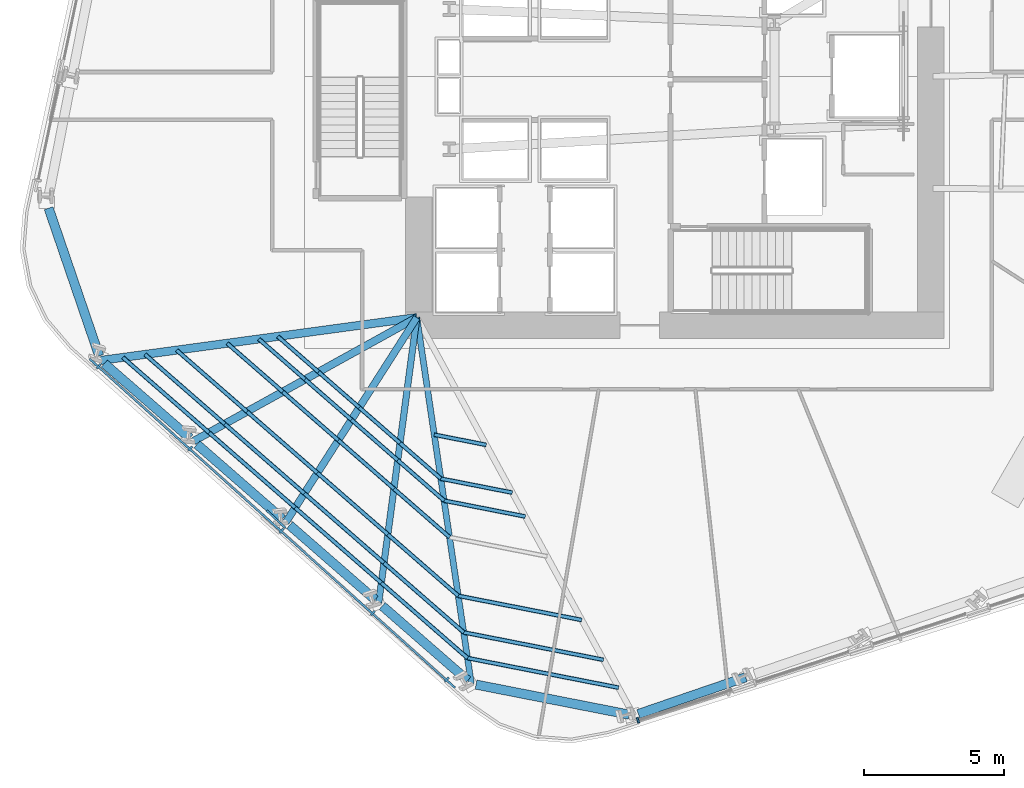
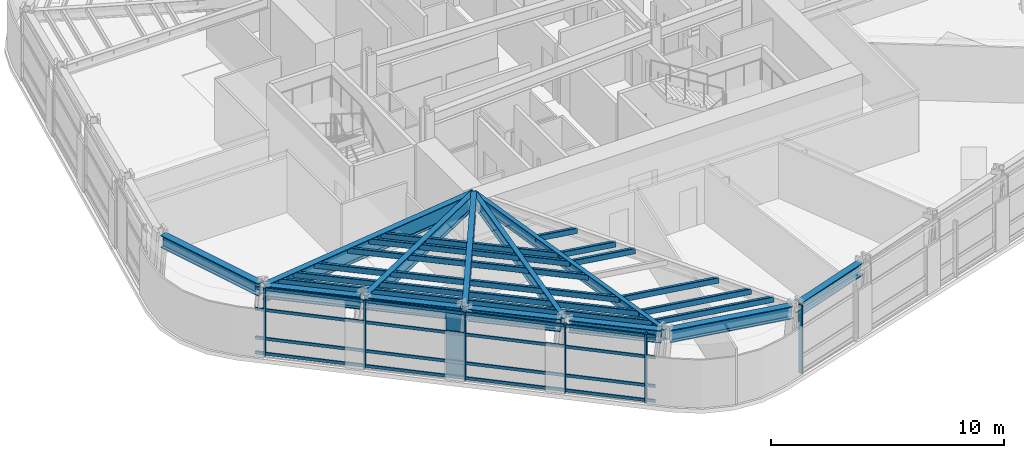
# One storey, part 2 of 16: 41 members, 12 beams, 2 elements without a shape of their own.
"""IFC4 building model written with IfcOpenShell, lengths in metres."""

from ifc_helpers import new_model, si_unit, direction, frame, origin, origin_2d, place, context, subcontext, project, spatial, rectangle, hollow_rectangle, i_section, extrude, material, layer, layer_set, material_profile, profile_set, type_object, element, aggregate, save


model = new_model("IFC4")

# Units and contexts
model_context = context("Model", 3, precision=1e-05, world=origin(), true_north=direction((0.0, 1.0)))
body_context = subcontext(model_context, "Body", "Model", "MODEL_VIEW")
ifc_project = project(units=[si_unit("LENGTHUNIT", "METRE"), si_unit("AREAUNIT", "SQUARE_METRE"), si_unit("VOLUMEUNIT", "CUBIC_METRE"), si_unit("PLANEANGLEUNIT", "RADIAN"), si_unit("MASSUNIT", "GRAM", prefix="KILO")], contexts=[model_context])

# Site, building, storey
site_placement = place(None, origin())
site = spatial("IfcSite", under=ifc_project, at=site_placement, CompositionType="ELEMENT")
building_placement = place(site_placement, origin())
building = spatial("IfcBuilding", under=site, at=building_placement, Name="Valkerne Bourse Tower", CompositionType="ELEMENT")
storey_placement = place(building_placement, frame((0.0, 0.0, 101.0)))
storey = spatial("IfcBuildingStorey", under=building, at=storey_placement, Name="L25", CompositionType="ELEMENT", Elevation=101.0)

# Beams
ifc_material_1 = material(Name="Steel ASTM A992", Category="steel")
ifc_material_profile_1 = material_profile(ifc_material_1, i_section(OverallWidth=0.2138671875, OverallDepth=0.548583984375, WebThickness=0.0146484375, FlangeThickness=0.023681640625, FilletRadius=0.017822265625, at=origin_2d()), Name="W21X93")
ifc_profile_set_1 = profile_set([ifc_material_profile_1], Name="Steel ASTM A992")
beam_type_1 = type_object("IfcBeamType", Name="BM-W21X93", PredefinedType="BEAM", material=ifc_profile_set_1)
beam_1_placement = place(storey_placement, frame((39.543212890625, 5.346435546875, 3.3056640625), z_axis=(-0.147235830809, 0.989101415491, 0.0), x_axis=(-0.989101415491, -0.147235830809, 0.0)))
element("IfcBeam", 1, at=beam_1_placement, inside=storey, type_object=beam_type_1, Name="L25 Radial Composite Floor Beam 19", PredefinedType="BEAM", context=body_context, shape_type="SweptSolid", body=[
    extrude(i_section(OverallWidth=0.2138671875, OverallDepth=0.548583984375, WebThickness=0.0146484375, FlangeThickness=0.023681640625, FilletRadius=0.017822265625, at=origin_2d()), origin(), (0.0, 0.0, 1.0), 13.197265625),
])
ifc_material_profile_2 = material_profile(ifc_material_1, i_section(OverallWidth=0.330078125, OverallDepth=0.647705078125, WebThickness=0.0205078125, FlangeThickness=0.037109375, FilletRadius=0.020263671875, at=origin_2d()), Name="W24X192")
ifc_profile_set_2 = profile_set([ifc_material_profile_2], Name="Steel ASTM A992")
beam_type_2 = type_object("IfcBeamType", Name="BM-W24X192", PredefinedType="SPANDREL", material=ifc_profile_set_2)
beam_2_placement = place(storey_placement, frame((24.47412109375, 22.297119140625, 3.256103515625), z_axis=(0.323917127568, -0.946085458333, 0.0), x_axis=(0.946085458333, 0.323917127568, 0.0)))
element("IfcBeam", 2, at=beam_2_placement, inside=storey, type_object=beam_type_2, Name="L25 Hexagonal Spandrel Ring Beam 14", PredefinedType="SPANDREL", context=body_context, shape_type="SweptSolid", body=[
    extrude(i_section(OverallWidth=0.330078125, OverallDepth=0.647705078125, WebThickness=0.0205078125, FlangeThickness=0.037109375, FilletRadius=0.020263671875, at=origin_2d()), origin(), (0.0, 0.0, 1.0), 5.564697265625),
])
beam_3_placement = place(storey_placement, frame((26.459716796875, 16.759765625, 3.256103515625), z_axis=(0.753593241324, -0.657341027649, 0.0), x_axis=(0.657341027649, 0.753593241324, 0.0)))
element("IfcBeam", 3, at=beam_3_placement, inside=storey, type_object=beam_type_2, Name="L25 Hexagonal Spandrel Ring Beam 15", PredefinedType="SPANDREL", context=body_context, shape_type="SweptSolid", body=[
    extrude(i_section(OverallWidth=0.330078125, OverallDepth=0.647705078125, WebThickness=0.0205078125, FlangeThickness=0.037109375, FilletRadius=0.020263671875, at=origin_2d()), origin(), (0.0, 0.0, 1.0), 4.043212890625),
])
beam_4_placement = place(storey_placement, frame((29.7626953125, 13.87841796875, 3.256103515625), z_axis=(0.753597062169, -0.657336647305, 0.0), x_axis=(0.657336647305, 0.753597062169, 0.0)))
element("IfcBeam", 4, at=beam_4_placement, inside=storey, type_object=beam_type_2, Name="L25 Hexagonal Spandrel Ring Beam 16", PredefinedType="SPANDREL", context=body_context, shape_type="SweptSolid", body=[
    extrude(i_section(OverallWidth=0.330078125, OverallDepth=0.647705078125, WebThickness=0.0205078125, FlangeThickness=0.037109375, FilletRadius=0.020263671875, at=origin_2d()), origin(), (0.0, 0.0, 1.0), 4.042724609375),
])
for number, where, z_axis, x_axis, name in (
    (5, (33.065673828125, 10.997314453125, 3.256103515625), (0.753567147752, -0.657370940815, 0.0), (0.657370940815, 0.753567147752, 0.0), "L25 Hexagonal Spandrel Ring Beam 17"),
    (6, (36.368408203125, 8.115966796875, 3.256103515625), (0.753567147752, -0.657370940815, 0.0), (0.657370940815, 0.753567147752, 0.0), "L25 Hexagonal Spandrel Ring Beam 18"),
):
    element("IfcBeam", number, at=place(storey_placement, frame(where, z_axis=z_axis, x_axis=x_axis)), inside=storey, type_object=beam_type_2, Name=name, PredefinedType="SPANDREL", context=body_context, shape_type="SweptSolid", body=[
        extrude(i_section(OverallWidth=0.330078125, OverallDepth=0.647705078125, WebThickness=0.0205078125, FlangeThickness=0.037109375, FilletRadius=0.020263671875, at=origin_2d()), origin(), (0.0, 0.0, 1.0), 4.04296875),
    ])
beam_5_placement = place(storey_placement, frame((39.7099609375, 5.313720703125, 3.256103515625), z_axis=(0.981292951973, -0.19252049867, 0.0), x_axis=(0.19252049867, 0.981292951973, 0.0)))
element("IfcBeam", 7, at=beam_5_placement, inside=storey, type_object=beam_type_2, Name="L25 Hexagonal Spandrel Ring Beam 19", PredefinedType="SPANDREL", context=body_context, shape_type="SweptSolid", body=[
    extrude(i_section(OverallWidth=0.330078125, OverallDepth=0.647705078125, WebThickness=0.0205078125, FlangeThickness=0.037109375, FilletRadius=0.020263671875, at=origin_2d()), origin(), (0.0, 0.0, 1.0), 5.564453125),
])
beam_6_placement = place(storey_placement, frame((45.498046875, 4.264892578125, 3.256103515625), z_axis=(0.946091935333, 0.323898209161, 0.0), x_axis=(-0.323898209161, 0.946091935333, 0.0)))
element("IfcBeam", 8, at=beam_6_placement, inside=storey, type_object=beam_type_2, Name="L25 Hexagonal Spandrel Ring Beam 20", PredefinedType="SPANDREL", context=body_context, shape_type="SweptSolid", body=[
    extrude(i_section(OverallWidth=0.330078125, OverallDepth=0.647705078125, WebThickness=0.0205078125, FlangeThickness=0.037109375, FilletRadius=0.020263671875, at=origin_2d()), origin(), (0.0, 0.0, 1.0), 4.043212890625),
])
ifc_material_profile_3 = material_profile(ifc_material_1, i_section(OverallWidth=0.228271484375, OverallDepth=0.607177734375, WebThickness=0.01123046875, FlangeThickness=0.017333984375, FilletRadius=0.017822265625, at=origin_2d()), Name="W24X76")
ifc_profile_set_3 = profile_set([ifc_material_profile_3], Name="Steel ASTM A992")
beam_type_3 = type_object("IfcBeamType", Name="BM-W24X76", PredefinedType="JOIST", material=ifc_profile_set_3)
beam_7_placement = place(storey_placement, frame((36.240234375, 8.227783203125, 3.2763671875), z_axis=(0.132506527755, 0.991182132659, 0.0), x_axis=(-0.991182132659, 0.132506527755, 0.0)))
element("IfcBeam", 9, at=beam_7_placement, inside=storey, type_object=beam_type_3, Name="L25 Radial Composite Floor Beam 18", PredefinedType="JOIST", context=body_context, shape_type="SweptSolid", body=[
    extrude(i_section(OverallWidth=0.228271484375, OverallDepth=0.607177734375, WebThickness=0.01123046875, FlangeThickness=0.017333984375, FilletRadius=0.017822265625, at=origin_2d()), origin(), (0.0, 0.0, 1.0), 10.2626953125),
])
ifc_material_profile_4 = material_profile(ifc_material_1, i_section(OverallWidth=0.255859375, OverallDepth=0.693359375, WebThickness=0.014404296875, FlangeThickness=0.023681640625, FilletRadius=0.02294921875, at=origin_2d()), Name="W27X114")
ifc_profile_set_4 = profile_set([ifc_material_profile_4], Name="Steel ASTM A992")
beam_type_4 = type_object("IfcBeamType", Name="BM-W27X114", PredefinedType="BEAM", material=ifc_profile_set_4)
beam_8_placement = place(storey_placement, frame((32.9375, 11.109130859375, 3.2333984375), z_axis=(0.538767075711, 0.842454769189, 0.0), x_axis=(-0.842454769189, 0.538767075711, 0.0)))
element("IfcBeam", 10, at=beam_8_placement, inside=storey, type_object=beam_type_4, Name="L25 Radial Composite Floor Beam 17", PredefinedType="BEAM", context=body_context, shape_type="SweptSolid", body=[
    extrude(i_section(OverallWidth=0.255859375, OverallDepth=0.693359375, WebThickness=0.014404296875, FlangeThickness=0.023681640625, FilletRadius=0.02294921875, at=origin_2d()), origin(), (0.0, 0.0, 1.0), 8.654296875),
])
ifc_material_profile_5 = material_profile(ifc_material_1, i_section(OverallWidth=0.26806640625, OverallDepth=0.76953125, WebThickness=0.015625, FlangeThickness=0.025390625, FilletRadius=0.025390625, at=origin_2d()), Name="W30X132")
ifc_profile_set_5 = profile_set([ifc_material_profile_5], Name="Steel ASTM A992")
beam_type_5 = type_object("IfcBeamType", Name="BM-W30X132", PredefinedType="BEAM", material=ifc_profile_set_5)
beam_9_placement = place(storey_placement, frame((29.634521484375, 13.990234375, 3.1953125), z_axis=(0.874886106632, 0.484328711128, 0.0), x_axis=(-0.484328711128, 0.874886106632, 0.0)))
element("IfcBeam", 11, at=beam_9_placement, inside=storey, type_object=beam_type_5, Name="L25 Radial Composite Floor Beam 16", PredefinedType="BEAM", context=body_context, shape_type="SweptSolid", body=[
    extrude(i_section(OverallWidth=0.26806640625, OverallDepth=0.76953125, WebThickness=0.015625, FlangeThickness=0.025390625, FilletRadius=0.025390625, at=origin_2d()), origin(), (0.0, 0.0, 1.0), 9.104736328125),
])
ifc_material_profile_6 = material_profile(ifc_material_1, i_section(OverallWidth=0.2919921875, OverallDepth=0.8583984375, WebThickness=0.01708984375, FlangeThickness=0.031005859375, FilletRadius=0.025390625, at=origin_2d()), Name="W33X169")
ifc_profile_set_6 = profile_set([ifc_material_profile_6], Name="Steel ASTM A992")
beam_type_6 = type_object("IfcBeamType", Name="BM-W33X169", PredefinedType="BEAM", material=ifc_profile_set_6)
beam_10_placement = place(storey_placement, frame((26.331787109375, 16.87158203125, 3.15087890625), z_axis=(0.990927242503, 0.134399405006, 0.0), x_axis=(-0.134399405006, 0.990927242503, 0.0)))
element("IfcBeam", 12, at=beam_10_placement, inside=storey, type_object=beam_type_6, Name="L25 Radial Composite Floor Beam 15", PredefinedType="BEAM", context=body_context, shape_type="SweptSolid", body=[
    extrude(i_section(OverallWidth=0.2919921875, OverallDepth=0.8583984375, WebThickness=0.01708984375, FlangeThickness=0.031005859375, FilletRadius=0.025390625, at=origin_2d()), origin(), (0.0, 0.0, 1.0), 11.37158203125),
])

# Curtain wall, members
ifc_material_2 = material(Name="Aluminium AA 6063-T6", Category="aluminium")
ifc_layer = layer(ifc_material_2, 0.22998046875)
ifc_layer_set = layer_set([ifc_layer], Name="Aluminium AA 6063-T6")
curtain_wall_type = type_object("IfcCurtainWallType", Name="CW-02", PredefinedType="NOTDEFINED", material=ifc_layer_set)
curtain_wall_1_placement = place(storey_placement, origin())
curtain_wall_1 = element("IfcCurtainWall", 13, at=curtain_wall_1_placement, inside=storey, type_object=curtain_wall_type, Name="L25 Hexagonal Stick Curtain Wall Face 4", PredefinedType="NOTDEFINED")
ifc_material_profile_7 = material_profile(ifc_material_2, rectangle(XDim=0.074951171875, YDim=0.199951171875, at=origin_2d()), Name="CWM-75X200")
ifc_profile_set_7 = profile_set([ifc_material_profile_7], Name="Aluminium AA 6063-T6")
member_type_1 = type_object("IfcMemberType", Name="CW-MUL-220X75", PredefinedType="MULLION", material=ifc_profile_set_7)
member_1_placement = place(storey_placement, frame((26.259765625, 16.66064453125, 0.0), z_axis=(0.0, 0.0, 1.0), x_axis=(0.743144377687, -0.66913110368, 0.0)))
member_1 = element("IfcMember", 14, at=member_1_placement, type_object=member_type_1, Name="CW-L25-F4 Jamb Mullion 00A", PredefinedType="MULLION", context=body_context, shape_type="SweptSolid", body=[
    extrude(rectangle(XDim=0.074951171875, YDim=0.199951171875, at=origin_2d()), origin(), (0.0, 0.0, 1.0), 3.580078125),
])
member_2_placement = place(storey_placement, frame((29.51708984375, 13.727783203125, 0.0), z_axis=(0.0, 0.0, 1.0), x_axis=(0.743144377687, -0.66913110368, 0.0)))
member_2 = element("IfcMember", 15, at=member_2_placement, type_object=member_type_1, Name="CW-L25-F4 Jamb Mullion 01A", PredefinedType="MULLION", context=body_context, shape_type="SweptSolid", body=[
    extrude(rectangle(XDim=0.074951171875, YDim=0.199951171875, at=origin_2d()), origin(), (0.0, 0.0, 1.0), 3.580078125),
])
member_3_placement = place(storey_placement, frame((32.774169921875, 10.795166015625, 0.0), z_axis=(0.0, 0.0, 1.0), x_axis=(0.743144377687, -0.66913110368, 0.0)))
member_3 = element("IfcMember", 16, at=member_3_placement, type_object=member_type_1, Name="CW-L25-F4 Jamb Mullion 02A", PredefinedType="MULLION", context=body_context, shape_type="SweptSolid", body=[
    extrude(rectangle(XDim=0.074951171875, YDim=0.199951171875, at=origin_2d()), origin(), (0.0, 0.0, 1.0), 3.580078125),
])
member_4_placement = place(storey_placement, frame((36.031494140625, 7.8623046875, 0.0), z_axis=(0.0, 0.0, 1.0), x_axis=(0.743144377687, -0.66913110368, 0.0)))
member_4 = element("IfcMember", 17, at=member_4_placement, type_object=member_type_1, Name="CW-L25-F4 Jamb Mullion 03A", PredefinedType="MULLION", context=body_context, shape_type="SweptSolid", body=[
    extrude(rectangle(XDim=0.074951171875, YDim=0.199951171875, at=origin_2d()), origin(), (0.0, 0.0, 1.0), 3.580078125),
])
member_5_placement = place(storey_placement, frame((38.664306640625, 5.49169921875, 0.0), z_axis=(0.0, 0.0, 1.0), x_axis=(0.743144377687, -0.66913110368, 0.0)))
member_5 = element("IfcMember", 18, at=member_5_placement, type_object=member_type_1, Name="CW-L25-F4 Jamb Mullion 03B", PredefinedType="MULLION", context=body_context, shape_type="SweptSolid", body=[
    extrude(rectangle(XDim=0.074951171875, YDim=0.199951171875, at=origin_2d()), origin(), (0.0, 0.0, 1.0), 3.580078125),
])

# Curtain wall, member
curtain_wall_2_placement = place(storey_placement, origin())
curtain_wall_2 = element("IfcCurtainWall", 19, at=curtain_wall_2_placement, inside=storey, type_object=curtain_wall_type, Name="L25 Hexagonal Stick Curtain Wall Face 5", PredefinedType="NOTDEFINED")
member_6_placement = place(storey_placement, frame((45.48388671875, 4.0419921875, 0.0), z_axis=(0.0, 0.0, 1.0), x_axis=(0.951051671907, 0.30903190347, 0.0)))
member_6 = element("IfcMember", 20, at=member_6_placement, type_object=member_type_1, Name="CW-L25-F5 Jamb Mullion 00A", PredefinedType="MULLION", context=body_context, shape_type="SweptSolid", body=[
    extrude(rectangle(XDim=0.074951171875, YDim=0.199951171875, at=origin_2d()), origin(), (0.0, 0.0, 1.0), 3.580078125),
])
aggregate(curtain_wall_2, [member_6])

# Member
ifc_material_profile_8 = material_profile(ifc_material_2, rectangle(XDim=0.074951171875, YDim=0.14990234375, at=origin_2d()), Name="CWT-75X150")
ifc_profile_set_8 = profile_set([ifc_material_profile_8], Name="Aluminium AA 6063-T6")
member_type_2 = type_object("IfcMemberType", Name="CW-TRN-180X65", PredefinedType="USERDEFINED", material=ifc_profile_set_8)
member_7_placement = place(storey_placement, frame((25.934326171875, 16.927001953125, 0.1201171875), z_axis=(0.743144563922, -0.669130896845, 0.0), x_axis=(0.669130896845, 0.743144563922, 0.0)))
member_7 = element("IfcMember", 21, at=member_7_placement, type_object=member_type_2, Name="CW-L25-F4 Continuous Face Transom 1", ObjectType="TRANSOM", PredefinedType="USERDEFINED", context=body_context, shape_type="SweptSolid", body=[
    extrude(rectangle(XDim=0.074951171875, YDim=0.14990234375, at=origin_2d()), origin(), (0.0, 0.0, 1.0), 17.531982421875),
])

member_8_placement = place(storey_placement, frame((25.934326171875, 16.927001953125, 0.89990234375), z_axis=(0.743144563922, -0.669130896845, 0.0), x_axis=(0.669130896845, 0.743144563922, 0.0)))
member_8 = element("IfcMember", 22, at=member_8_placement, type_object=member_type_2, Name="CW-L25-F4 Continuous Face Transom 2", ObjectType="TRANSOM", PredefinedType="USERDEFINED", context=body_context, shape_type="SweptSolid", body=[
    extrude(rectangle(XDim=0.074951171875, YDim=0.14990234375, at=origin_2d()), origin(), (0.0, 0.0, 1.0), 17.531982421875),
])

member_9_placement = place(storey_placement, frame((25.934326171875, 16.927001953125, 2.39990234375), z_axis=(0.743144563922, -0.669130896845, 0.0), x_axis=(0.669130896845, 0.743144563922, 0.0)))
member_9 = element("IfcMember", 23, at=member_9_placement, type_object=member_type_2, Name="CW-L25-F4 Continuous Face Transom 3", ObjectType="TRANSOM", PredefinedType="USERDEFINED", context=body_context, shape_type="SweptSolid", body=[
    extrude(rectangle(XDim=0.074951171875, YDim=0.14990234375, at=origin_2d()), origin(), (0.0, 0.0, 1.0), 17.531982421875),
])

member_10_placement = place(storey_placement, frame((25.934326171875, 16.927001953125, 3.5), z_axis=(0.743144563922, -0.669130896845, 0.0), x_axis=(0.669130896845, 0.743144563922, 0.0)))
member_10 = element("IfcMember", 24, at=member_10_placement, type_object=member_type_2, Name="CW-L25-F4 Continuous Face Transom 4", ObjectType="TRANSOM", PredefinedType="USERDEFINED", context=body_context, shape_type="SweptSolid", body=[
    extrude(rectangle(XDim=0.074951171875, YDim=0.14990234375, at=origin_2d()), origin(), (0.0, 0.0, 1.0), 17.531982421875),
])

aggregate(curtain_wall_1, [member_7, member_8, member_9, member_10, member_1, member_2, member_3, member_4, member_5])

# Members
ifc_material_3 = material(Name="Bronze Anodised Aluminium AA 6063-T6", Category="aluminium")
ifc_material_profile_9 = material_profile(ifc_material_3, rectangle(XDim=0.070068359375, YDim=0.89990234375, at=origin_2d()), Name="FIN-70X900")
ifc_profile_set_9 = profile_set([ifc_material_profile_9], Name="Bronze Anodised Aluminium AA 6063-T6")
member_type_3 = type_object("IfcMemberType", Name="FIN-SOLAR-900", PredefinedType="USERDEFINED", material=ifc_profile_set_9)
member_11_placement = place(storey_placement, frame((32.58251953125, 11.2099609375, 0.00390625), z_axis=(0.0, 0.0, 1.0), x_axis=(-0.683254339535, -0.730180462288, 0.0)))
element("IfcMember", 25, at=member_11_placement, inside=storey, type_object=member_type_3, Name="L25 Bronze Anodised Solar Fin F4-02", ObjectType="SOLAR_FIN", PredefinedType="USERDEFINED", context=body_context, shape_type="SweptSolid", body=[
    extrude(rectangle(XDim=0.070068359375, YDim=0.89990234375, at=origin_2d()), origin(), (0.0, 0.0, 1.0), 3.572021484375),
])
ifc_material_4 = material(Name="Steel ASTM A500 Grade C", Category="steel")
ifc_material_profile_10 = material_profile(ifc_material_4, hollow_rectangle(XDim=0.14990234375, YDim=0.300048828125, WallThickness=0.012451171875, OuterFilletRadius=0.02490234375, at=origin_2d()), Name="HSS300X150X12.5")
ifc_profile_set_10 = profile_set([ifc_material_profile_10], Name="Steel ASTM A500 Grade C")
member_type_4 = type_object("IfcMemberType", Name="MBR-HSS300X150X12.5", PredefinedType="PURLIN", material=ifc_profile_set_10)
member_12_placement = place(storey_placement, frame((38.2216796875, 14.222900390625, 3.419921875), z_axis=(0.981294610769, -0.192512043456, 0.0), x_axis=(0.192512043456, 0.981294610769, 0.0)))
element("IfcMember", 26, at=member_12_placement, inside=storey, type_object=member_type_4, Name="L25 Secondary Composite Floor Purlin I-19", PredefinedType="PURLIN", context=body_context, shape_type="SweptSolid", body=[
    extrude(hollow_rectangle(XDim=0.14990234375, YDim=0.300048828125, WallThickness=0.012451171875, OuterFilletRadius=0.02490234375, at=origin_2d()), origin(), (0.0, 0.0, 1.0), 1.8896484375),
])
for number, where, z_axis, x_axis, name in (
    (27, (32.641845703125, 17.7275390625, 3.419921875), (0.753571725565, -0.657365693072, 0.0), (0.657365693072, 0.753571725565, 0.0), "L25 Secondary Composite Floor Purlin K-15"),
    (28, (34.09521484375, 16.459716796875, 3.419921875), (0.753571725565, -0.657365693072, 0.0), (0.657365693072, 0.753571725565, 0.0), "L25 Secondary Composite Floor Purlin K-16"),
):
    element("IfcMember", number, at=place(storey_placement, frame(where, z_axis=z_axis, x_axis=x_axis)), inside=storey, type_object=member_type_4, Name=name, PredefinedType="PURLIN", context=body_context, shape_type="SweptSolid", body=[
        extrude(hollow_rectangle(XDim=0.14990234375, YDim=0.300048828125, WallThickness=0.012451171875, OuterFilletRadius=0.02490234375, at=origin_2d()), origin(), (0.0, 0.0, 1.0), 1.9287109375),
    ])
member_13_placement = place(storey_placement, frame((35.548583984375, 15.19189453125, 3.419921875), z_axis=(0.753579732616, -0.65735651407, 0.0), x_axis=(0.65735651407, 0.753579732616, 0.0)))
element("IfcMember", 29, at=member_13_placement, inside=storey, type_object=member_type_4, Name="L25 Secondary Composite Floor Purlin K-17", PredefinedType="PURLIN", context=body_context, shape_type="SweptSolid", body=[
    extrude(hollow_rectangle(XDim=0.14990234375, YDim=0.300048828125, WallThickness=0.012451171875, OuterFilletRadius=0.02490234375, at=origin_2d()), origin(), (0.0, 0.0, 1.0), 1.92822265625),
])
member_14_placement = place(storey_placement, frame((37.001708984375, 13.92431640625, 3.419921875), z_axis=(0.753571725565, -0.657365693072, 0.0), x_axis=(0.657365693072, 0.753571725565, 0.0)))
element("IfcMember", 30, at=member_14_placement, inside=storey, type_object=member_type_4, Name="L25 Secondary Composite Floor Purlin K-18", PredefinedType="PURLIN", context=body_context, shape_type="SweptSolid", body=[
    extrude(hollow_rectangle(XDim=0.14990234375, YDim=0.300048828125, WallThickness=0.012451171875, OuterFilletRadius=0.02490234375, at=origin_2d()), origin(), (0.0, 0.0, 1.0), 1.9287109375),
])
member_15_placement = place(storey_placement, frame((38.455078125, 12.656494140625, 3.419921875), z_axis=(0.981286253476, -0.192554638323, 0.0), x_axis=(0.192554638323, 0.981286253476, 0.0)))
element("IfcMember", 31, at=member_15_placement, inside=storey, type_object=member_type_4, Name="L25 Secondary Composite Floor Purlin K-19", PredefinedType="PURLIN", context=body_context, shape_type="SweptSolid", body=[
    extrude(hollow_rectangle(XDim=0.14990234375, YDim=0.300048828125, WallThickness=0.012451171875, OuterFilletRadius=0.02490234375, at=origin_2d()), origin(), (0.0, 0.0, 1.0), 2.597900390625),
])
member_16_placement = place(storey_placement, frame((31.9658203125, 17.6357421875, 3.419921875), z_axis=(0.753542050167, -0.65739970994, 0.0), x_axis=(0.65739970994, 0.753542050167, 0.0)))
element("IfcMember", 32, at=member_16_placement, inside=storey, type_object=member_type_4, Name="L25 Secondary Composite Floor Purlin M-15", PredefinedType="PURLIN", context=body_context, shape_type="SweptSolid", body=[
    extrude(hollow_rectangle(XDim=0.14990234375, YDim=0.300048828125, WallThickness=0.012451171875, OuterFilletRadius=0.02490234375, at=origin_2d()), origin(), (0.0, 0.0, 1.0), 2.19140625),
])
member_17_placement = place(storey_placement, frame((33.6171875, 16.195068359375, 3.419921875), z_axis=(0.753590190404, -0.657344525288, 0.0), x_axis=(0.657344525288, 0.753590190404, 0.0)))
element("IfcMember", 33, at=member_17_placement, inside=storey, type_object=member_type_4, Name="L25 Secondary Composite Floor Purlin M-16", PredefinedType="PURLIN", context=body_context, shape_type="SweptSolid", body=[
    extrude(hollow_rectangle(XDim=0.14990234375, YDim=0.300048828125, WallThickness=0.012451171875, OuterFilletRadius=0.02490234375, at=origin_2d()), origin(), (0.0, 0.0, 1.0), 2.191650390625),
])
for number, where, z_axis, x_axis, name in (
    (34, (35.268798828125, 14.75439453125, 3.419921875), (0.753597239076, -0.657336444492, 0.0), (0.657336444492, 0.753597239076, 0.0), "L25 Secondary Composite Floor Purlin M-17"),
    (35, (36.920166015625, 13.31396484375, 3.419921875), (0.753542050167, -0.65739970994, 0.0), (0.65739970994, 0.753542050167, 0.0), "L25 Secondary Composite Floor Purlin M-18"),
):
    element("IfcMember", number, at=place(storey_placement, frame(where, z_axis=z_axis, x_axis=x_axis)), inside=storey, type_object=member_type_4, Name=name, PredefinedType="PURLIN", context=body_context, shape_type="SweptSolid", body=[
        extrude(hollow_rectangle(XDim=0.14990234375, YDim=0.300048828125, WallThickness=0.012451171875, OuterFilletRadius=0.02490234375, at=origin_2d()), origin(), (0.0, 0.0, 1.0), 2.19140625),
    ])
member_18_placement = place(storey_placement, frame((38.571533203125, 11.873291015625, 3.419921875), z_axis=(0.981292924032, -0.192520641088, 0.0), x_axis=(0.192520641088, 0.981292924032, 0.0)))
element("IfcMember", 36, at=member_18_placement, inside=storey, type_object=member_type_4, Name="L25 Secondary Composite Floor Purlin M-19", PredefinedType="PURLIN", context=body_context, shape_type="SweptSolid", body=[
    extrude(hollow_rectangle(XDim=0.14990234375, YDim=0.300048828125, WallThickness=0.012451171875, OuterFilletRadius=0.02490234375, at=origin_2d()), origin(), (0.0, 0.0, 1.0), 2.9521484375),
])
member_19_placement = place(storey_placement, frame((29.0361328125, 17.23828125, 3.419921875), z_axis=(0.753583734122, -0.657351926799, 0.0), x_axis=(0.657351926799, 0.753583734122, 0.0)))
element("IfcMember", 37, at=member_19_placement, inside=storey, type_object=member_type_4, Name="L25 Secondary Composite Floor Purlin O-15", PredefinedType="PURLIN", context=body_context, shape_type="SweptSolid", body=[
    extrude(hollow_rectangle(XDim=0.14990234375, YDim=0.300048828125, WallThickness=0.012451171875, OuterFilletRadius=0.02490234375, at=origin_2d()), origin(), (0.0, 0.0, 1.0), 3.3310546875),
])
member_20_placement = place(storey_placement, frame((31.54638671875, 15.048583984375, 3.419921875), z_axis=(0.753552061372, -0.657388234456, 0.0), x_axis=(0.657388234456, 0.753552061372, 0.0)))
element("IfcMember", 38, at=member_20_placement, inside=storey, type_object=member_type_4, Name="L25 Secondary Composite Floor Purlin O-16", PredefinedType="PURLIN", context=body_context, shape_type="SweptSolid", body=[
    extrude(hollow_rectangle(XDim=0.14990234375, YDim=0.300048828125, WallThickness=0.012451171875, OuterFilletRadius=0.02490234375, at=origin_2d()), origin(), (0.0, 0.0, 1.0), 3.330810546875),
])
member_21_placement = place(storey_placement, frame((34.056396484375, 12.85888671875, 3.419921875), z_axis=(0.753583734122, -0.657351926799, 0.0), x_axis=(0.657351926799, 0.753583734122, 0.0)))
element("IfcMember", 39, at=member_21_placement, inside=storey, type_object=member_type_4, Name="L25 Secondary Composite Floor Purlin O-17", PredefinedType="PURLIN", context=body_context, shape_type="SweptSolid", body=[
    extrude(hollow_rectangle(XDim=0.14990234375, YDim=0.300048828125, WallThickness=0.012451171875, OuterFilletRadius=0.02490234375, at=origin_2d()), origin(), (0.0, 0.0, 1.0), 3.3310546875),
])
member_22_placement = place(storey_placement, frame((36.566650390625, 10.669189453125, 3.419921875), z_axis=(0.753547428307, -0.657393545216, 0.0), x_axis=(0.657393545216, 0.753547428307, 0.0)))
element("IfcMember", 40, at=member_22_placement, inside=storey, type_object=member_type_4, Name="L25 Secondary Composite Floor Purlin O-18", PredefinedType="PURLIN", context=body_context, shape_type="SweptSolid", body=[
    extrude(hollow_rectangle(XDim=0.14990234375, YDim=0.300048828125, WallThickness=0.012451171875, OuterFilletRadius=0.02490234375, at=origin_2d()), origin(), (0.0, 0.0, 1.0), 3.331298828125),
])
member_23_placement = place(storey_placement, frame((39.076904296875, 8.479248046875, 3.419921875), z_axis=(0.981298034433, -0.192494591141, 0.0), x_axis=(0.192494591141, 0.981298034433, 0.0)))
element("IfcMember", 41, at=member_23_placement, inside=storey, type_object=member_type_4, Name="L25 Secondary Composite Floor Purlin O-19", PredefinedType="PURLIN", context=body_context, shape_type="SweptSolid", body=[
    extrude(hollow_rectangle(XDim=0.14990234375, YDim=0.300048828125, WallThickness=0.012451171875, OuterFilletRadius=0.02490234375, at=origin_2d()), origin(), (0.0, 0.0, 1.0), 4.4873046875),
])
for number, where, z_axis, x_axis, name in (
    (42, (30.839111328125, 17.48291015625, 3.419921875), (0.753559272181, -0.657379968747, 0.0), (0.657379968747, 0.753559272181, 0.0), "L25 Secondary Composite Floor Purlin Z-15"),
    (43, (32.82080078125, 15.754150390625, 3.419921875), (0.753559272181, -0.657379968747, 0.0), (0.657379968747, 0.753559272181, 0.0), "L25 Secondary Composite Floor Purlin Z-16"),
    (44, (34.802490234375, 14.025390625, 3.419921875), (0.753559272181, -0.657379968747, 0.0), (0.657379968747, 0.753559272181, 0.0), "L25 Secondary Composite Floor Purlin Z-17"),
    (45, (36.7841796875, 12.296630859375, 3.419921875), (0.753559272181, -0.657379968747, 0.0), (0.657379968747, 0.753559272181, 0.0), "L25 Secondary Composite Floor Purlin Z-18"),
):
    element("IfcMember", number, at=place(storey_placement, frame(where, z_axis=z_axis, x_axis=x_axis)), inside=storey, type_object=member_type_4, Name=name, PredefinedType="PURLIN", context=body_context, shape_type="SweptSolid", body=[
        extrude(hollow_rectangle(XDim=0.14990234375, YDim=0.300048828125, WallThickness=0.012451171875, OuterFilletRadius=0.02490234375, at=origin_2d()), origin(), (0.0, 0.0, 1.0), 2.6298828125),
    ])
member_24_placement = place(storey_placement, frame((27.9091796875, 17.085693359375, 3.419921875), z_axis=(0.753558817626, -0.657380489807, 0.0), x_axis=(0.657380489807, 0.753558817626, 0.0)))
element("IfcMember", 46, at=member_24_placement, inside=storey, type_object=member_type_4, Name="L25 Secondary Composite Floor Purlin T-15", PredefinedType="PURLIN", context=body_context, shape_type="SweptSolid", body=[
    extrude(hollow_rectangle(XDim=0.14990234375, YDim=0.300048828125, WallThickness=0.012451171875, OuterFilletRadius=0.02490234375, at=origin_2d()), origin(), (0.0, 0.0, 1.0), 3.76953125),
])
member_25_placement = place(storey_placement, frame((30.749755859375, 14.607666015625, 3.419921875), z_axis=(0.753562912899, -0.657375795343, 0.0), x_axis=(0.657375795343, 0.753562912899, 0.0)))
element("IfcMember", 47, at=member_25_placement, inside=storey, type_object=member_type_4, Name="L25 Secondary Composite Floor Purlin T-16", PredefinedType="PURLIN", context=body_context, shape_type="SweptSolid", body=[
    extrude(hollow_rectangle(XDim=0.14990234375, YDim=0.300048828125, WallThickness=0.012451171875, OuterFilletRadius=0.02490234375, at=origin_2d()), origin(), (0.0, 0.0, 1.0), 3.769287109375),
])
member_26_placement = place(storey_placement, frame((33.590087890625, 12.1298828125, 3.419921875), z_axis=(0.753558817626, -0.657380489807, 0.0), x_axis=(0.657380489807, 0.753558817626, 0.0)))
element("IfcMember", 48, at=member_26_placement, inside=storey, type_object=member_type_4, Name="L25 Secondary Composite Floor Purlin T-17", PredefinedType="PURLIN", context=body_context, shape_type="SweptSolid", body=[
    extrude(hollow_rectangle(XDim=0.14990234375, YDim=0.300048828125, WallThickness=0.012451171875, OuterFilletRadius=0.02490234375, at=origin_2d()), origin(), (0.0, 0.0, 1.0), 3.76953125),
])
member_27_placement = place(storey_placement, frame((36.4306640625, 9.65185546875, 3.419921875), z_axis=(0.753590901815, -0.657343709714, 0.0), x_axis=(0.657343709714, 0.753590901815, 0.0)))
element("IfcMember", 49, at=member_27_placement, inside=storey, type_object=member_type_4, Name="L25 Secondary Composite Floor Purlin T-18", PredefinedType="PURLIN", context=body_context, shape_type="SweptSolid", body=[
    extrude(hollow_rectangle(XDim=0.14990234375, YDim=0.300048828125, WallThickness=0.012451171875, OuterFilletRadius=0.02490234375, at=origin_2d()), origin(), (0.0, 0.0, 1.0), 3.769287109375),
])
member_28_placement = place(storey_placement, frame((39.271240234375, 7.174072265625, 3.419921875), z_axis=(0.981286149076, -0.19255517036, 0.0), x_axis=(0.19255517036, 0.981286149076, 0.0)))
element("IfcMember", 50, at=member_28_placement, inside=storey, type_object=member_type_4, Name="L25 Secondary Composite Floor Purlin T-19", PredefinedType="PURLIN", context=body_context, shape_type="SweptSolid", body=[
    extrude(hollow_rectangle(XDim=0.14990234375, YDim=0.300048828125, WallThickness=0.012451171875, OuterFilletRadius=0.02490234375, at=origin_2d()), origin(), (0.0, 0.0, 1.0), 5.077880859375),
])
member_29_placement = place(storey_placement, frame((27.12060546875, 16.978515625, 3.419921875), z_axis=(0.753566531925, -0.657371646759, 0.0), x_axis=(0.657371646759, 0.753566531925, 0.0)))
element("IfcMember", 51, at=member_29_placement, inside=storey, type_object=member_type_4, Name="L25 Secondary Composite Floor Purlin U-15", PredefinedType="PURLIN", context=body_context, shape_type="SweptSolid", body=[
    extrude(hollow_rectangle(XDim=0.14990234375, YDim=0.300048828125, WallThickness=0.012451171875, OuterFilletRadius=0.02490234375, at=origin_2d()), origin(), (0.0, 0.0, 1.0), 4.075927734375),
])
member_30_placement = place(storey_placement, frame((30.192138671875, 14.299072265625, 3.419921875), z_axis=(0.753562744586, -0.657375988283, 0.0), x_axis=(0.657375988283, 0.753562744586, 0.0)))
element("IfcMember", 52, at=member_30_placement, inside=storey, type_object=member_type_4, Name="L25 Secondary Composite Floor Purlin U-16", PredefinedType="PURLIN", context=body_context, shape_type="SweptSolid", body=[
    extrude(hollow_rectangle(XDim=0.14990234375, YDim=0.300048828125, WallThickness=0.012451171875, OuterFilletRadius=0.02490234375, at=origin_2d()), origin(), (0.0, 0.0, 1.0), 4.076416015625),
])
member_31_placement = place(storey_placement, frame((33.263916015625, 11.619384765625, 3.419921875), z_axis=(0.753566531925, -0.657371646759, 0.0), x_axis=(0.657371646759, 0.753566531925, 0.0)))
element("IfcMember", 53, at=member_31_placement, inside=storey, type_object=member_type_4, Name="L25 Secondary Composite Floor Purlin U-17", PredefinedType="PURLIN", context=body_context, shape_type="SweptSolid", body=[
    extrude(hollow_rectangle(XDim=0.14990234375, YDim=0.300048828125, WallThickness=0.012451171875, OuterFilletRadius=0.02490234375, at=origin_2d()), origin(), (0.0, 0.0, 1.0), 4.075927734375),
])
member_32_placement = place(storey_placement, frame((36.33544921875, 8.93994140625, 3.419921875), z_axis=(0.753562744586, -0.657375988283, 0.0), x_axis=(0.657375988283, 0.753562744586, 0.0)))
element("IfcMember", 54, at=member_32_placement, inside=storey, type_object=member_type_4, Name="L25 Secondary Composite Floor Purlin U-18", PredefinedType="PURLIN", context=body_context, shape_type="SweptSolid", body=[
    extrude(hollow_rectangle(XDim=0.14990234375, YDim=0.300048828125, WallThickness=0.012451171875, OuterFilletRadius=0.02490234375, at=origin_2d()), origin(), (0.0, 0.0, 1.0), 4.076416015625),
])
member_33_placement = place(storey_placement, frame((39.4072265625, 6.26025390625, 3.419921875), z_axis=(0.981293991473, -0.192515200176, 0.0), x_axis=(0.192515200176, 0.981293991473, 0.0)))
element("IfcMember", 55, at=member_33_placement, inside=storey, type_object=member_type_4, Name="L25 Secondary Composite Floor Purlin U-19", PredefinedType="PURLIN", context=body_context, shape_type="SweptSolid", body=[
    extrude(hollow_rectangle(XDim=0.14990234375, YDim=0.300048828125, WallThickness=0.012451171875, OuterFilletRadius=0.02490234375, at=origin_2d()), origin(), (0.0, 0.0, 1.0), 5.4912109375),
])

save(model, "model.ifc")
